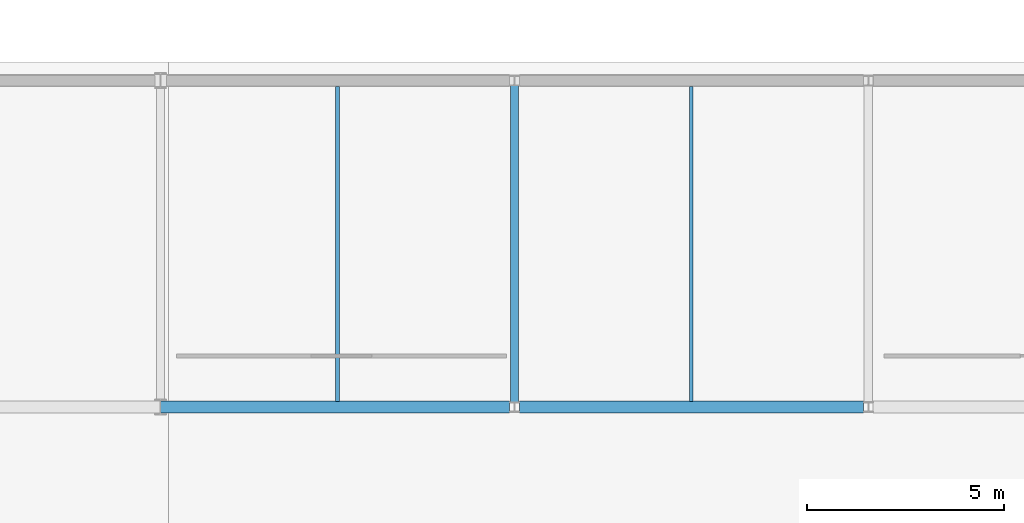
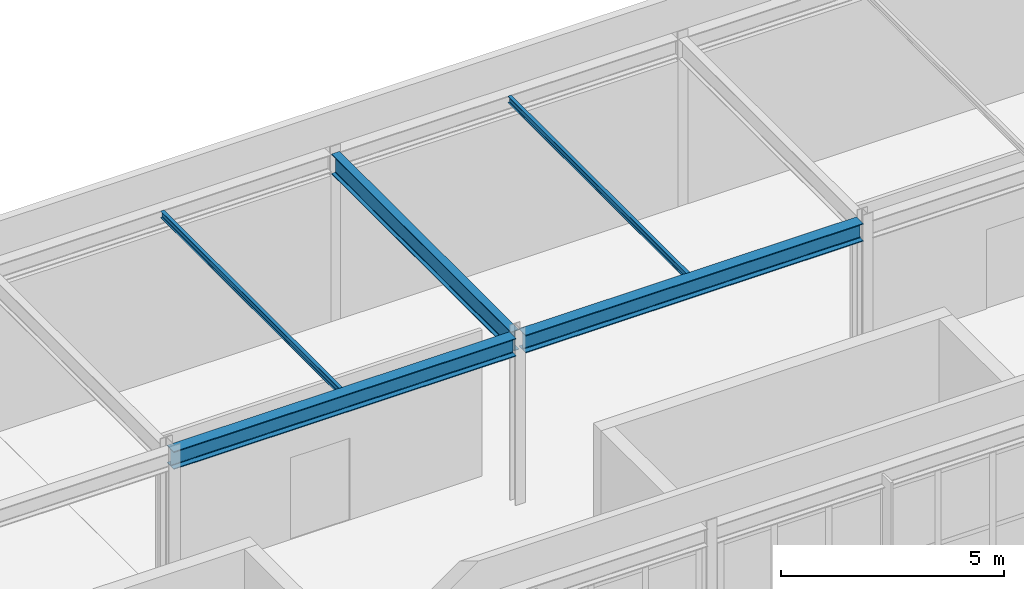
# One storey, part 16 of 38: 5 beams.
"""IFC4 building model written with IfcOpenShell, lengths in metres."""

from ifc_helpers import new_model, si_unit, direction, frame, origin, origin_2d, place, context, subcontext, project, spatial, i_section, extrude, material, material_profile, profile_set, type_object, element, save


model = new_model("IFC4")

# Units and contexts
model_context = context("Model", 3, precision=1e-05, world=origin(), true_north=direction((0.0, 1.0)))
body_context = subcontext(model_context, "Body", "Model", "MODEL_VIEW")
ifc_project = project(units=[si_unit("LENGTHUNIT", "METRE"), si_unit("AREAUNIT", "SQUARE_METRE"), si_unit("VOLUMEUNIT", "CUBIC_METRE"), si_unit("PLANEANGLEUNIT", "RADIAN"), si_unit("MASSUNIT", "GRAM", prefix="KILO")], contexts=[model_context])

# Site, building, storey
site_placement = place(None, origin())
site = spatial("IfcSite", under=ifc_project, at=site_placement, CompositionType="ELEMENT")
building_placement = place(site_placement, origin())
building = spatial("IfcBuilding", under=site, at=building_placement, Name="Kaldris Quays Convention Centre", CompositionType="ELEMENT")
storey_placement = place(building_placement, frame((0.0, 0.0, 21.60009765625)))
storey = spatial("IfcBuildingStorey", under=building, at=storey_placement, Name="L04", CompositionType="ELEMENT", Elevation=21.60009765625)

# Beams
ifc_material = material(Name="Steel S355J2", Category="steel")
ifc_material_profile_1 = material_profile(ifc_material, i_section(OverallWidth=0.300048828125, OverallDepth=0.489990234375, WebThickness=0.011962890625, FlangeThickness=0.02294921875, FilletRadius=0.027099609375, at=origin_2d()), Name="HEA 500")
ifc_profile_set_1 = profile_set([ifc_material_profile_1], Name="Steel S355J2")
beam_type_1 = type_object("IfcBeamType", Name="STRUCTURAL BEAM BM09", PredefinedType="BEAM", material=ifc_profile_set_1)
beam_1_placement = place(storey_placement, frame((119.000732421875, 46.60009765625, 4.347900390625), z_axis=(1.0, 0.0, 0.0), x_axis=(0.0, 1.0, 0.0)))
element("IfcBeam", 1, at=beam_1_placement, inside=storey, type_object=beam_type_1, Name="L04 Girder BM09 12", PredefinedType="BEAM", context=body_context, shape_type="SweptSolid", body=[
    extrude(i_section(OverallWidth=0.300048828125, OverallDepth=0.489990234375, WebThickness=0.011962890625, FlangeThickness=0.02294921875, FilletRadius=0.027099609375, at=origin_2d()), origin(), (0.0, 0.0, 1.0), 8.875244140625),
])
beam_2_placement = place(storey_placement, frame((128.1240234375, 46.60009765625, 4.347900390625), z_axis=(1.0, 0.0, 0.0), x_axis=(0.0, 1.0, 0.0)))
element("IfcBeam", 2, at=beam_2_placement, inside=storey, type_object=beam_type_1, Name="L04 Girder BM09 13", PredefinedType="BEAM", context=body_context, shape_type="SweptSolid", body=[
    extrude(i_section(OverallWidth=0.300048828125, OverallDepth=0.489990234375, WebThickness=0.011962890625, FlangeThickness=0.02294921875, FilletRadius=0.027099609375, at=origin_2d()), origin(), (0.0, 0.0, 1.0), 8.751953125),
])
ifc_material_profile_2 = material_profile(ifc_material, i_section(OverallWidth=0.2099609375, OverallDepth=0.550048828125, WebThickness=0.010986328125, FlangeThickness=0.01708984375, FilletRadius=0.02392578125, at=origin_2d()), Name="IPE 550")
ifc_profile_set_2 = profile_set([ifc_material_profile_2], Name="Steel S355J2")
beam_type_2 = type_object("IfcBeamType", Name="STRUCTURAL BEAM BM11", PredefinedType="BEAM", material=ifc_profile_set_2)
beam_3_placement = place(storey_placement, frame((128.0, 46.72412109375, 4.31787109375), z_axis=(0.0, 1.0, 0.0), x_axis=(-1.0, 0.0, 0.0)))
element("IfcBeam", 3, at=beam_3_placement, inside=storey, type_object=beam_type_2, Name="L04 Girder BM11 42", PredefinedType="BEAM", context=body_context, shape_type="SweptSolid", body=[
    extrude(i_section(OverallWidth=0.2099609375, OverallDepth=0.550048828125, WebThickness=0.010986328125, FlangeThickness=0.01708984375, FilletRadius=0.02392578125, at=origin_2d()), origin(), (0.0, 0.0, 1.0), 8.0517578125),
])
ifc_material_profile_3 = material_profile(ifc_material, i_section(OverallWidth=0.091064453125, OverallDepth=0.179931640625, WebThickness=0.00537109375, FlangeThickness=0.008056640625, FilletRadius=0.009033203125, at=origin_2d()), Name="IPE 180")
ifc_profile_set_3 = profile_set([ifc_material_profile_3], Name="Steel S355J2")
beam_type_3 = type_object("IfcBeamType", Name="STRUCTURAL BEAM JT10", PredefinedType="JOIST", material=ifc_profile_set_3)
for number, where, z_axis, x_axis, name in (
    (4, (123.5, 46.743896484375, 4.5029296875), (0.0, 1.0, 0.0), (-1.0, 0.0, 0.0), "L04 Secondary Joist JT10 6"),
    (5, (132.5, 46.743896484375, 4.5029296875), (0.0, 1.0, 0.0), (-1.0, 0.0, 0.0), "L04 Secondary Joist JT10 7"),
):
    element("IfcBeam", number, at=place(storey_placement, frame(where, z_axis=z_axis, x_axis=x_axis)), inside=storey, type_object=beam_type_3, Name=name, PredefinedType="JOIST", context=body_context, shape_type="SweptSolid", body=[
        extrude(i_section(OverallWidth=0.091064453125, OverallDepth=0.179931640625, WebThickness=0.00537109375, FlangeThickness=0.008056640625, FilletRadius=0.009033203125, at=origin_2d()), origin(), (0.0, 0.0, 1.0), 8.01220703125),
    ])

save(model, "model.ifc")
